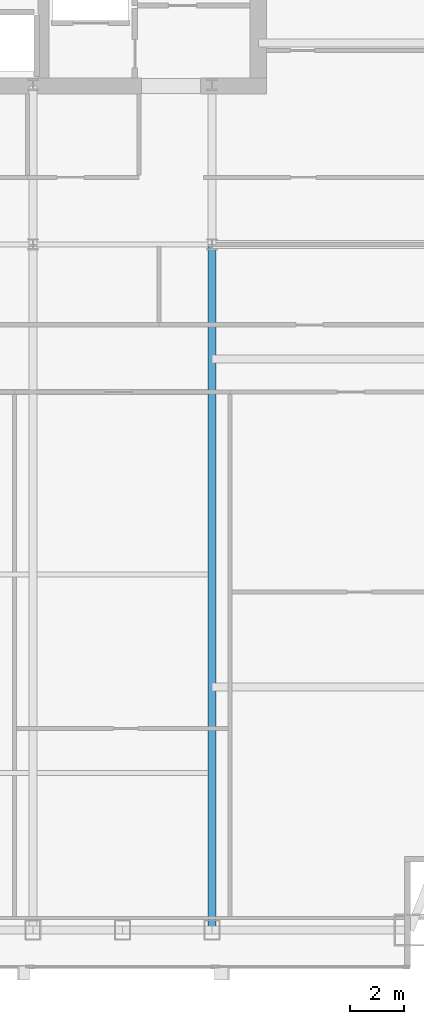
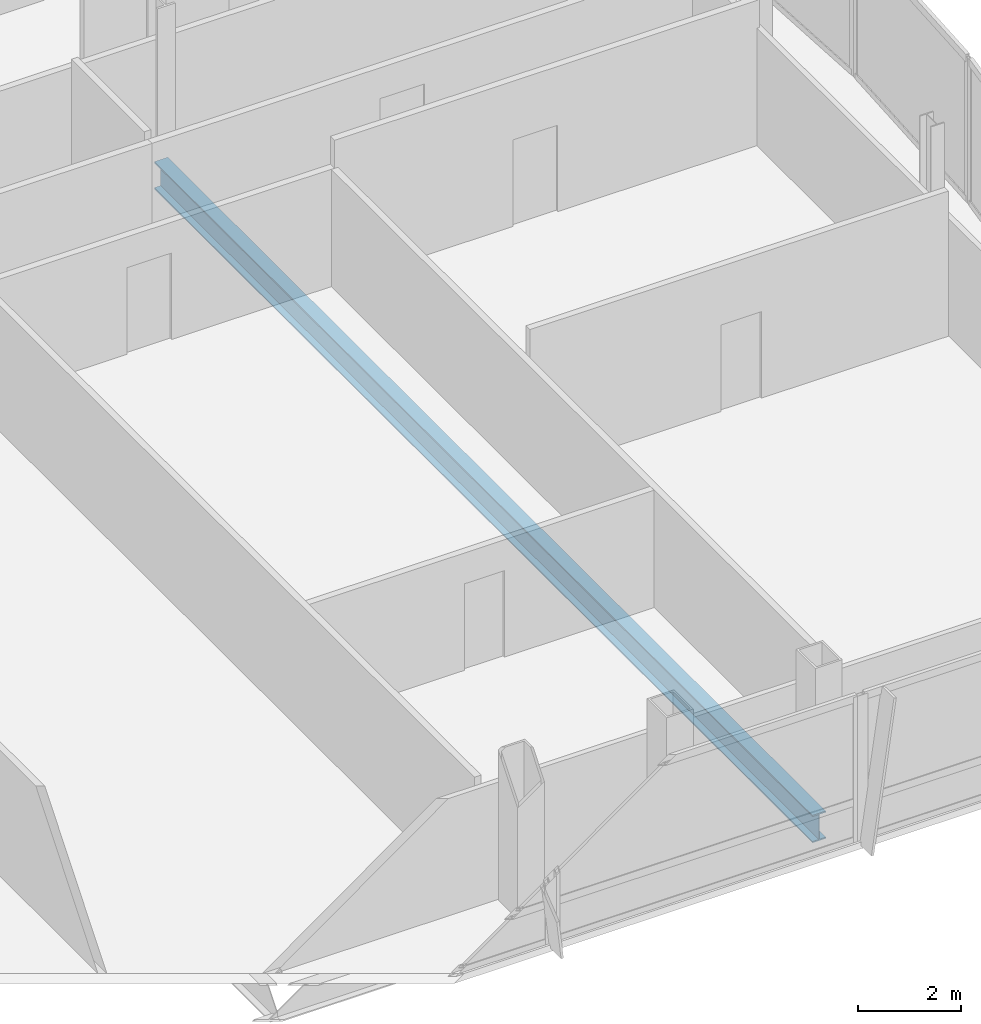
# One storey, part 15 of 30: 1 beam.
"""IFC4 building model written with IfcOpenShell, lengths in metres."""

import ifcopenshell
import ifcopenshell.guid

model = None  # the IFC model being written
_history = None  # IfcOwnerHistory: only IFC2X3 demands one
_inside = {}  # id of a spatial element -> (the spatial element, [elements in it])
_under = {}  # id of a project, library or spatial element -> (it, [spatial elements below it])
_declared = {}  # id of a project -> (the project, [libraries it declares])
_typed = {}  # id of a type object -> (the type object, [elements of that type])
_made_of = {}  # id of a material, layer set ... -> (it, [elements and type objects made of it])


def new_model(schema):
    """Start an empty IFC model of exactly this schema.

    Asked for "IFC4X3", IfcOpenShell would pick the latest addendum, in which some entities
    have other attributes; the version numbers below select the first issue.
    IFC2X3 requires an IfcOwnerHistory on every rooted entity: one is made here for all.
    """
    global model, _history
    if schema == "IFC4X3":
        model = ifcopenshell.file(schema_version=(4, 3, 0, 0))
    else:
        model = ifcopenshell.file(schema=schema)
    _inside.clear()
    _under.clear()
    _declared.clear()
    _typed.clear()
    _made_of.clear()
    _history = None
    if model.schema == "IFC2X3":
        org = make("IfcOrganization", Name="unknown")
        user = make(
            "IfcPersonAndOrganization",
            ThePerson=make("IfcPerson", FamilyName="unknown"),
            TheOrganization=org,
        )
        app = make(
            "IfcApplication",
            ApplicationDeveloper=org,
            Version="unknown",
            ApplicationFullName="unknown",
            ApplicationIdentifier="unknown",
        )
        _history = make(
            "IfcOwnerHistory",
            OwningUser=user,
            OwningApplication=app,
            ChangeAction="ADDED",
            CreationDate=0,
        )
    return model


def make(cls, **values):
    """One entity of the class cls with the attributes given. An attribute that is None is left unset."""
    return model.create_entity(
        cls, **{name: value for name, value in values.items() if value is not None}
    )


def rooted(cls, **values):
    """An entity with a GlobalId (a new one), such as an element, a storey or a relation."""
    return make(cls, GlobalId=ifcopenshell.guid.new(), OwnerHistory=_history, **values)


def si_unit(unit_type, name, prefix=None):
    """IfcSIUnit, for example si_unit("LENGTHUNIT", "METRE", prefix="MILLI")."""
    return make("IfcSIUnit", UnitType=unit_type, Prefix=prefix, Name=name)


def assignment(units):
    """IfcUnitAssignment: the units of a project."""
    return None if units is None else make("IfcUnitAssignment", Units=units)


def point(xyz):
    """IfcCartesianPoint."""
    return None if xyz is None else make("IfcCartesianPoint", Coordinates=xyz)


def direction(xyz):
    """IfcDirection."""
    return None if xyz is None else make("IfcDirection", DirectionRatios=xyz)


def frame(location, z_axis=None, x_axis=None):
    """IfcAxis2Placement3D, a coordinate frame: its origin and axes. An axis left out is left unset."""
    return make(
        "IfcAxis2Placement3D",
        Location=point(location),
        Axis=direction(z_axis),
        RefDirection=direction(x_axis),
    )


def frame_2d(location, x_axis=None):
    """IfcAxis2Placement2D, a coordinate frame in the plane: its origin and x axis."""
    return make(
        "IfcAxis2Placement2D", Location=point(location), RefDirection=direction(x_axis)
    )


def origin():
    """The frame at (0, 0, 0) with its axes left unset."""
    return frame((0.0, 0.0, 0.0))


def origin_2d():
    """The frame at (0, 0) in the plane with its x axis left unset."""
    return frame_2d((0.0, 0.0))


def place(relative_to, where):
    """IfcLocalPlacement: puts the frame where relative to a parent placement (None: the world)."""
    return make(
        "IfcLocalPlacement", PlacementRelTo=relative_to, RelativePlacement=where
    )


def context(
    kind, dimensions, precision=None, world=None, true_north=None, identifier=None
):
    """IfcGeometricRepresentationContext, for example the 3D "Model" context."""
    return make(
        "IfcGeometricRepresentationContext",
        ContextIdentifier=identifier,
        ContextType=kind,
        CoordinateSpaceDimension=dimensions,
        Precision=precision,
        WorldCoordinateSystem=world,
        TrueNorth=true_north,
    )


def subcontext(parent, identifier, kind, view, scale=None):
    """IfcGeometricRepresentationSubContext, for example "Body" below "Model"."""
    return make(
        "IfcGeometricRepresentationSubContext",
        ContextIdentifier=identifier,
        ContextType=kind,
        ParentContext=parent,
        TargetScale=scale,
        TargetView=view,
    )


def project(units=None, contexts=None):
    """IfcProject with its units and contexts."""
    return rooted(
        "IfcProject",
        Name="project",
        RepresentationContexts=contexts,
        UnitsInContext=assignment(units),
    )


def spatial(cls, under=None, at=None, **own):
    """A site, building, storey or space (cls), placed at a placement, below another one or the project."""
    s = rooted(cls, ObjectPlacement=at, **own)
    if under is not None:
        _under.setdefault(under.id(), (under, []))[1].append(s)
    return s


def profile(cls, at=None, kind="AREA", **sizes):
    """A parametric profile (cls). Its sizes go by their IFC names, for example OverallWidth=200.0."""
    return make(cls, ProfileType=kind, Position=at, **sizes)


def i_section(**sizes):
    """IfcIShapeProfileDef."""
    return profile("IfcIShapeProfileDef", **sizes)


def extrude(swept, where, along, depth):
    """IfcExtrudedAreaSolid: the profile swept, set in the frame where, extruded along a direction by depth."""
    return make(
        "IfcExtrudedAreaSolid",
        SweptArea=swept,
        Position=where,
        ExtrudedDirection=direction(along),
        Depth=depth,
    )


def shape(context_of_items, identifier, shape_type, items):
    """IfcShapeRepresentation: the items that make up one representation, for example the "Body"."""
    return make(
        "IfcShapeRepresentation",
        ContextOfItems=context_of_items,
        RepresentationIdentifier=identifier,
        RepresentationType=shape_type,
        Items=items,
    )


def material(Name=None, Category=None):
    """IfcMaterial."""
    return make("IfcMaterial", Name=Name, Category=Category)


def material_profile(
    of_material, cross_section, Name=None, Category=None, Priority=None
):
    """IfcMaterialProfile: a cross section and its material."""
    return make(
        "IfcMaterialProfile",
        Name=Name,
        Material=of_material,
        Profile=cross_section,
        Priority=Priority,
        Category=Category,
    )


def profile_set(profiles, Name=None, composite=None):
    """IfcMaterialProfileSet."""
    return make(
        "IfcMaterialProfileSet",
        Name=Name,
        MaterialProfiles=profiles,
        CompositeProfile=composite,
    )


def made_of(thing, what):
    """Note that an element or type object is made of a material, layer set ...; save() writes the relation."""
    if what is not None:
        _made_of.setdefault(what.id(), (what, []))[1].append(thing)
    return thing


def type_object(cls, material=None, **own):
    """A type object (cls), such as IfcWallType, which elements share."""
    return made_of(rooted(cls, **own), material)


def element(
    cls,
    number,
    at=None,
    inside=None,
    cuts=None,
    type_object=None,
    material=None,
    context=None,
    identifier="Body",
    shape_type=None,
    held_by="IfcProductDefinitionShape",
    body=None,
    shapes=None,
    **own,
):
    """One element of the class cls, such as IfcWall. Its Tag is "e" and its number.

    at: its placement. inside: the storey or other place that contains it. cuts: it is an
    opening in that element (IfcRelVoidsElement). A single representation is given by context,
    identifier, shape_type and body (its items); several are given by shapes. held_by: the class
    of the entity that holds the representations. save() writes the other relations.
    """
    e = rooted(cls, Tag="e%d" % number, ObjectPlacement=at, **own)
    if body is not None:
        shapes = [shape(context, identifier, shape_type, body)]
    if shapes is not None:
        e.Representation = make(held_by, Representations=shapes)
    if inside is not None:
        _inside.setdefault(inside.id(), (inside, []))[1].append(e)
    if cuts is not None:
        rooted(
            "IfcRelVoidsElement", RelatingBuildingElement=cuts, RelatedOpeningElement=e
        )
    if type_object is not None:
        _typed.setdefault(type_object.id(), (type_object, []))[1].append(e)
    return made_of(e, material)


def aggregate(whole, parts):
    """IfcRelAggregates: a whole, such as a stair, and the parts it consists of."""
    return rooted("IfcRelAggregates", RelatingObject=whole, RelatedObjects=parts)


def save(model, path):
    """Write the relations noted so far, then the file.

    IfcRelAggregates (storeys below a building ...), IfcRelContainedInSpatialStructure (elements
    in a storey), IfcRelDefinesByType, IfcRelAssociatesMaterial and IfcRelDeclares: one each for
    every whole, place, type object, material and project.
    """
    for whole, parts in _under.values():
        aggregate(whole, parts)
    for where, things in _inside.values():
        rooted(
            "IfcRelContainedInSpatialStructure",
            RelatedElements=things,
            RelatingStructure=where,
        )
    for kind, things in _typed.values():
        rooted("IfcRelDefinesByType", RelatedObjects=things, RelatingType=kind)
    for what, things in _made_of.values():
        rooted("IfcRelAssociatesMaterial", RelatedObjects=things, RelatingMaterial=what)
    for by, libraries in _declared.values():
        rooted("IfcRelDeclares", RelatingContext=by, RelatedDefinitions=libraries)
    model.write(path)


model = new_model("IFC4")

# Units and contexts
model_context = context("Model", 3, precision=1e-05, world=origin(), true_north=direction((0.0, 1.0)))
body_context = subcontext(model_context, "Body", "Model", "MODEL_VIEW")
ifc_project = project(units=[si_unit("LENGTHUNIT", "METRE"), si_unit("AREAUNIT", "SQUARE_METRE"), si_unit("VOLUMEUNIT", "CUBIC_METRE"), si_unit("PLANEANGLEUNIT", "RADIAN"), si_unit("MASSUNIT", "GRAM", prefix="KILO")], contexts=[model_context])

# Site, building, storey
site_placement = place(None, origin())
site = spatial("IfcSite", under=ifc_project, at=site_placement, CompositionType="ELEMENT")
building_placement = place(site_placement, origin())
building = spatial("IfcBuilding", under=site, at=building_placement, Name="Khoronbel Lancet Exchange", CompositionType="ELEMENT")
storey_placement = place(building_placement, frame((0.0, 0.0, 224.60009765625)))
storey = spatial("IfcBuildingStorey", under=building, at=storey_placement, Name="L57", CompositionType="ELEMENT", Elevation=224.60009765625)

# Beam
ifc_material = material(Name="Steel S355", Category="steel")
ifc_material_profile = material_profile(ifc_material, i_section(OverallWidth=0.300048828125, OverallDepth=0.64990234375, WebThickness=0.01611328125, FlangeThickness=0.031005859375, at=origin_2d()), Name="HEB 650")
ifc_profile_set = profile_set([ifc_material_profile], Name="Steel S355")
beam_type = type_object("IfcBeamType", Name="BM-BG4", PredefinedType="BEAM", material=ifc_profile_set)
beam_placement = place(storey_placement, frame((54.675048828125, 10.14990234375, -0.485107421875), z_axis=(0.0, 1.0, 0.0), x_axis=(-1.0, 0.0, 0.0)))
element("IfcBeam", 1, at=beam_placement, inside=storey, type_object=beam_type, Name="Level L57 south primary girder GS6", PredefinedType="BEAM", context=body_context, shape_type="SweptSolid", body=[
    extrude(i_section(OverallWidth=0.300048828125, OverallDepth=0.64990234375, WebThickness=0.01611328125, FlangeThickness=0.031005859375, at=origin_2d()), origin(), (0.0, 0.0, 1.0), 25.550048828125),
])

save(model, "model.ifc")
